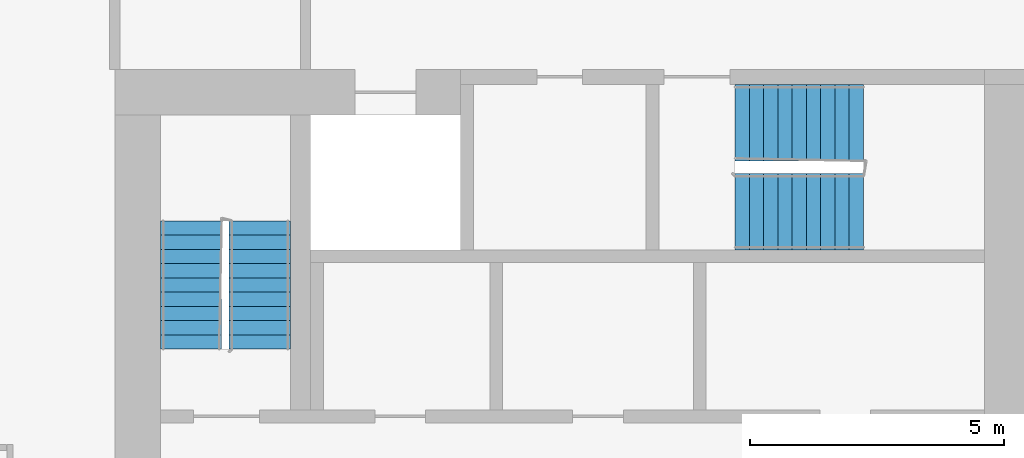
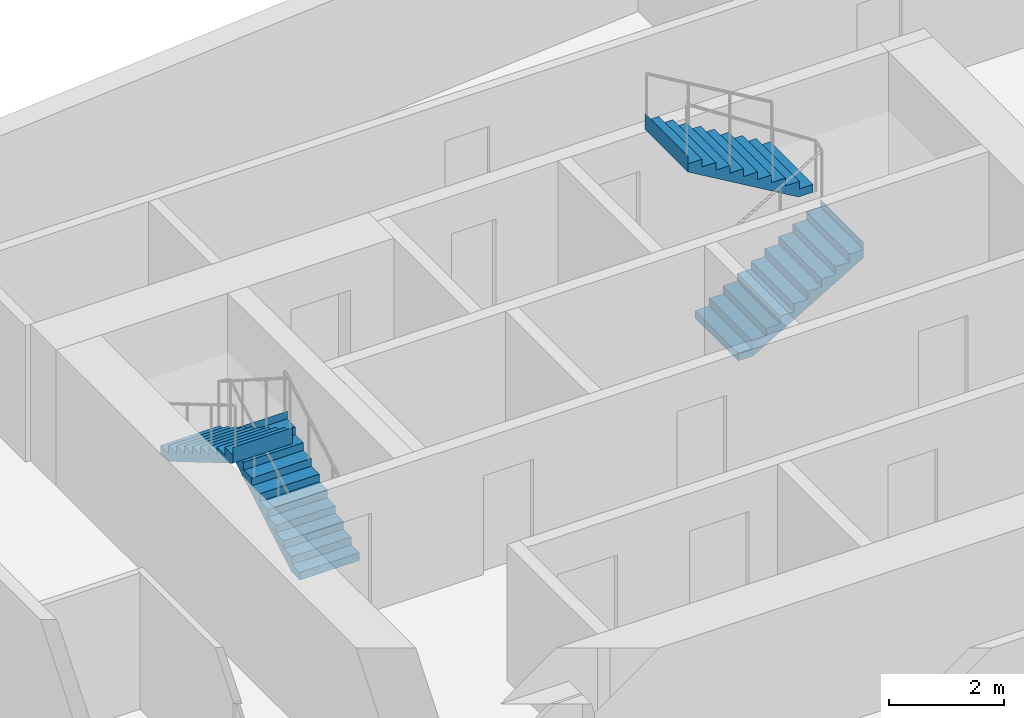
# One storey, part 10 of 11: 4 stair flights, 2 elements without a shape of their own.
"""IFC4 building model written with IfcOpenShell, lengths in metres."""

from ifc_helpers import new_model, si_unit, direction, frame, origin, place, context, subcontext, project, spatial, faceted_brep, material, type_object, element, aggregate, save


model = new_model("IFC4")

# Units and contexts
model_context = context("Model", 3, precision=1e-05, world=origin(), true_north=direction((0.0, 1.0)))
body_context = subcontext(model_context, "Body", "Model", "MODEL_VIEW")
ifc_project = project(units=[si_unit("LENGTHUNIT", "METRE"), si_unit("AREAUNIT", "SQUARE_METRE"), si_unit("VOLUMEUNIT", "CUBIC_METRE"), si_unit("PLANEANGLEUNIT", "RADIAN"), si_unit("MASSUNIT", "GRAM", prefix="KILO")], contexts=[model_context])

# Site, building, storey
site_placement = place(None, origin())
site = spatial("IfcSite", under=ifc_project, at=site_placement, CompositionType="ELEMENT")
building_placement = place(site_placement, origin())
building = spatial("IfcBuilding", under=site, at=building_placement, Name="Kajstack Hotel Tower", CompositionType="ELEMENT")
storey_placement = place(building_placement, frame((0.0, 0.0, 304.800048828125)))
storey = spatial("IfcBuildingStorey", under=building, at=storey_placement, Name="L77", CompositionType="ELEMENT", Elevation=304.800048828125)

# Stair, stair flights
ifc_material = material(Name="Concrete C40/50", Category="concrete")
stair_type_1 = type_object("IfcStairType", Name="Exit stair 1200", PredefinedType="HALF_TURN_STAIR", material=ifc_material)
stair_1_placement = place(storey_placement, origin())
stair_1 = element("IfcStair", 1, at=stair_1_placement, inside=storey, type_object=stair_type_1, Name="L77 stair E2", PredefinedType="HALF_TURN_STAIR")
stair_flight_type_1 = type_object("IfcStairFlightType", Name="Exit stair flight 1200", PredefinedType="STRAIGHT", material=ifc_material)
stair_flight_1_placement = place(storey_placement, frame((16.35009765625, 10.0, 0.0), z_axis=(0.0, 0.0, 1.0), x_axis=(0.0, 1.0, 0.0)))
stair_flight_1 = element("IfcStairFlight", 2, at=stair_flight_1_placement, type_object=stair_flight_type_1, Name="E2 flight 1", NumberOfRisers=10, NumberOfTreads=9, PredefinedType="STRAIGHT", RiserHeight=0.165, TreadLength=0.28, context=body_context, shape_type="Brep", body=[
    faceted_brep([(0.295654296875, -0.60009765625, 0.0), (2.5205078125, -0.60009765625, 1.31103515625), (2.5205078125, -0.60009765625, 1.64990234375), (2.52001953125, -0.60009765625, 1.64990234375), (2.52001953125, -0.60009765625, 1.485107421875), (2.239990234375, -0.60009765625, 1.485107421875), (2.239990234375, -0.60009765625, 1.320068359375), (1.9599609375, -0.60009765625, 1.320068359375), (1.9599609375, -0.60009765625, 1.155029296875), (1.679931640625, -0.60009765625, 1.155029296875), (1.679931640625, -0.60009765625, 0.989990234375), (1.39990234375, -0.60009765625, 0.989990234375), (1.39990234375, -0.60009765625, 0.824951171875), (1.1201171875, -0.60009765625, 0.824951171875), (1.1201171875, -0.60009765625, 0.659912109375), (0.840087890625, -0.60009765625, 0.659912109375), (0.840087890625, -0.60009765625, 0.4951171875), (0.56005859375, -0.60009765625, 0.4951171875), (0.56005859375, -0.60009765625, 0.330078125), (0.280029296875, -0.60009765625, 0.330078125), (0.280029296875, -0.60009765625, 0.1650390625), (-0.00048828125, -0.60009765625, 0.1650390625), (-0.00048828125, -0.60009765625, 0.0), (-0.00048828125, 0.60009765625, 0.0), (-0.00048828125, 0.60009765625, 0.1650390625), (0.280029296875, 0.60009765625, 0.1650390625), (0.280029296875, 0.60009765625, 0.330078125), (0.56005859375, 0.60009765625, 0.330078125), (0.56005859375, 0.60009765625, 0.4951171875), (0.840087890625, 0.60009765625, 0.4951171875), (0.840087890625, 0.60009765625, 0.659912109375), (1.1201171875, 0.60009765625, 0.659912109375), (1.1201171875, 0.60009765625, 0.824951171875), (1.39990234375, 0.60009765625, 0.824951171875), (1.39990234375, 0.60009765625, 0.989990234375), (1.679931640625, 0.60009765625, 0.989990234375), (1.679931640625, 0.60009765625, 1.155029296875), (1.9599609375, 0.60009765625, 1.155029296875), (1.9599609375, 0.60009765625, 1.320068359375), (2.239990234375, 0.60009765625, 1.320068359375), (2.239990234375, 0.60009765625, 1.485107421875), (2.52001953125, 0.60009765625, 1.485107421875), (2.52001953125, 0.60009765625, 1.64990234375), (2.5205078125, 0.60009765625, 1.64990234375), (2.5205078125, 0.60009765625, 1.31103515625), (0.295654296875, 0.60009765625, 0.0), (-0.00048828125, -0.300048828125, 0.1650390625), (-0.00048828125, 0.0, 0.1650390625), (-0.00048828125, 0.300048828125, 0.1650390625), (-0.00048828125, 0.300048828125, 0.0), (-0.00048828125, 0.0, 0.0), (-0.00048828125, -0.300048828125, 0.0), (0.280029296875, -0.300048828125, 0.1650390625), (0.280029296875, 0.0, 0.1650390625), (0.280029296875, 0.300048828125, 0.1650390625), (0.280029296875, -0.300048828125, 0.330078125), (0.280029296875, 0.0, 0.330078125), (0.280029296875, 0.300048828125, 0.330078125), (0.56005859375, -0.300048828125, 0.330078125), (0.56005859375, 0.0, 0.330078125), (0.56005859375, 0.300048828125, 0.330078125), (0.56005859375, -0.300048828125, 0.4951171875), (0.56005859375, 0.0, 0.4951171875), (0.56005859375, 0.300048828125, 0.4951171875), (0.840087890625, -0.300048828125, 0.4951171875), (0.840087890625, 0.0, 0.4951171875), (0.840087890625, 0.300048828125, 0.4951171875), (0.840087890625, -0.300048828125, 0.659912109375), (0.840087890625, 0.0, 0.659912109375), (0.840087890625, 0.300048828125, 0.659912109375), (1.1201171875, -0.300048828125, 0.659912109375), (1.1201171875, 0.0, 0.659912109375), (1.1201171875, 0.300048828125, 0.659912109375), (1.1201171875, -0.300048828125, 0.824951171875), (1.1201171875, 0.0, 0.824951171875), (1.1201171875, 0.300048828125, 0.824951171875), (1.39990234375, -0.300048828125, 0.824951171875), (1.39990234375, 0.0, 0.824951171875), (1.39990234375, 0.300048828125, 0.824951171875), (1.39990234375, -0.300048828125, 0.989990234375), (1.39990234375, 0.0, 0.989990234375), (1.39990234375, 0.300048828125, 0.989990234375), (1.679931640625, -0.300048828125, 0.989990234375), (1.679931640625, 0.0, 0.989990234375), (1.679931640625, 0.300048828125, 0.989990234375), (1.679931640625, -0.300048828125, 1.155029296875), (1.679931640625, 0.0, 1.155029296875), (1.679931640625, 0.300048828125, 1.155029296875), (1.9599609375, -0.300048828125, 1.155029296875), (1.9599609375, 0.0, 1.155029296875), (1.9599609375, 0.300048828125, 1.155029296875), (1.9599609375, -0.300048828125, 1.320068359375), (1.9599609375, 0.0, 1.320068359375), (1.9599609375, 0.300048828125, 1.320068359375), (2.239990234375, -0.300048828125, 1.320068359375), (2.239990234375, 0.0, 1.320068359375), (2.239990234375, 0.300048828125, 1.320068359375), (2.239990234375, -0.300048828125, 1.485107421875), (2.239990234375, 0.0, 1.485107421875), (2.239990234375, 0.300048828125, 1.485107421875), (2.52001953125, -0.300048828125, 1.485107421875), (2.52001953125, 0.0, 1.485107421875), (2.52001953125, 0.300048828125, 1.485107421875), (2.52001953125, -0.300048828125, 1.64990234375), (2.52001953125, 0.0, 1.64990234375), (2.52001953125, 0.300048828125, 1.64990234375), (2.5205078125, -0.300048828125, 1.64990234375), (2.5205078125, 0.0, 1.64990234375), (2.5205078125, 0.300048828125, 1.64990234375), (2.5205078125, -0.300048828125, 1.31103515625), (2.5205078125, 0.0, 1.31103515625), (2.5205078125, 0.300048828125, 1.31103515625), (0.295654296875, -0.300048828125, 0.0), (0.295654296875, 0.0, 0.0), (0.295654296875, 0.300048828125, 0.0)], [[[0, 1, 2, 3, 4, 5, 6, 7, 8, 9, 10, 11, 12, 13, 14, 15, 16, 17, 18, 19, 20, 21, 22]], [[23, 24, 25, 26, 27, 28, 29, 30, 31, 32, 33, 34, 35, 36, 37, 38, 39, 40, 41, 42, 43, 44, 45]], [[21, 46, 47, 48, 24, 23, 49, 50, 51, 22]], [[20, 52, 53, 54, 25, 24, 48, 47, 46, 21]], [[19, 55, 56, 57, 26, 25, 54, 53, 52, 20]], [[18, 58, 59, 60, 27, 26, 57, 56, 55, 19]], [[17, 61, 62, 63, 28, 27, 60, 59, 58, 18]], [[16, 64, 65, 66, 29, 28, 63, 62, 61, 17]], [[15, 67, 68, 69, 30, 29, 66, 65, 64, 16]], [[14, 70, 71, 72, 31, 30, 69, 68, 67, 15]], [[13, 73, 74, 75, 32, 31, 72, 71, 70, 14]], [[12, 76, 77, 78, 33, 32, 75, 74, 73, 13]], [[11, 79, 80, 81, 34, 33, 78, 77, 76, 12]], [[10, 82, 83, 84, 35, 34, 81, 80, 79, 11]], [[9, 85, 86, 87, 36, 35, 84, 83, 82, 10]], [[8, 88, 89, 90, 37, 36, 87, 86, 85, 9]], [[7, 91, 92, 93, 38, 37, 90, 89, 88, 8]], [[6, 94, 95, 96, 39, 38, 93, 92, 91, 7]], [[5, 97, 98, 99, 40, 39, 96, 95, 94, 6]], [[4, 100, 101, 102, 41, 40, 99, 98, 97, 5]], [[3, 103, 104, 105, 42, 41, 102, 101, 100, 4]], [[2, 106, 107, 108, 43, 42, 105, 104, 103, 3]], [[1, 109, 110, 111, 44, 43, 108, 107, 106, 2]], [[0, 112, 113, 114, 45, 44, 111, 110, 109, 1]], [[22, 51, 50, 49, 23, 45, 114, 113, 112, 0]]]),
])
stair_flight_2_placement = place(storey_placement, frame((15.0, 12.52001953125, 1.64990234375), z_axis=(0.0, 0.0, 1.0), x_axis=(0.0, -1.0, 0.0)))
stair_flight_2 = element("IfcStairFlight", 3, at=stair_flight_2_placement, type_object=stair_flight_type_1, Name="E2 flight 2", NumberOfRisers=10, NumberOfTreads=9, PredefinedType="STRAIGHT", RiserHeight=0.165, TreadLength=0.28, context=body_context, shape_type="Brep", body=[
    faceted_brep([(0.295654296875, -0.60009765625, 0.0), (2.5205078125, -0.60009765625, 1.31103515625), (2.5205078125, -0.60009765625, 1.64990234375), (2.52001953125, -0.60009765625, 1.64990234375), (2.52001953125, -0.60009765625, 1.485107421875), (2.239990234375, -0.60009765625, 1.485107421875), (2.239990234375, -0.60009765625, 1.320068359375), (1.9599609375, -0.60009765625, 1.320068359375), (1.9599609375, -0.60009765625, 1.155029296875), (1.679931640625, -0.60009765625, 1.155029296875), (1.679931640625, -0.60009765625, 0.989990234375), (1.39990234375, -0.60009765625, 0.989990234375), (1.39990234375, -0.60009765625, 0.824951171875), (1.1201171875, -0.60009765625, 0.824951171875), (1.1201171875, -0.60009765625, 0.659912109375), (0.840087890625, -0.60009765625, 0.659912109375), (0.840087890625, -0.60009765625, 0.4951171875), (0.56005859375, -0.60009765625, 0.4951171875), (0.56005859375, -0.60009765625, 0.330078125), (0.280029296875, -0.60009765625, 0.330078125), (0.280029296875, -0.60009765625, 0.1650390625), (-0.00048828125, -0.60009765625, 0.1650390625), (-0.00048828125, -0.60009765625, 0.0), (-0.00048828125, 0.60009765625, 0.0), (-0.00048828125, 0.60009765625, 0.1650390625), (0.280029296875, 0.60009765625, 0.1650390625), (0.280029296875, 0.60009765625, 0.330078125), (0.56005859375, 0.60009765625, 0.330078125), (0.56005859375, 0.60009765625, 0.4951171875), (0.840087890625, 0.60009765625, 0.4951171875), (0.840087890625, 0.60009765625, 0.659912109375), (1.1201171875, 0.60009765625, 0.659912109375), (1.1201171875, 0.60009765625, 0.824951171875), (1.39990234375, 0.60009765625, 0.824951171875), (1.39990234375, 0.60009765625, 0.989990234375), (1.679931640625, 0.60009765625, 0.989990234375), (1.679931640625, 0.60009765625, 1.155029296875), (1.9599609375, 0.60009765625, 1.155029296875), (1.9599609375, 0.60009765625, 1.320068359375), (2.239990234375, 0.60009765625, 1.320068359375), (2.239990234375, 0.60009765625, 1.485107421875), (2.52001953125, 0.60009765625, 1.485107421875), (2.52001953125, 0.60009765625, 1.64990234375), (2.5205078125, 0.60009765625, 1.64990234375), (2.5205078125, 0.60009765625, 1.31103515625), (0.295654296875, 0.60009765625, 0.0), (-0.00048828125, -0.300048828125, 0.1650390625), (-0.00048828125, 0.0, 0.1650390625), (-0.00048828125, 0.300048828125, 0.1650390625), (-0.00048828125, 0.300048828125, 0.0), (-0.00048828125, 0.0, 0.0), (-0.00048828125, -0.300048828125, 0.0), (0.280029296875, -0.300048828125, 0.1650390625), (0.280029296875, 0.0, 0.1650390625), (0.280029296875, 0.300048828125, 0.1650390625), (0.280029296875, -0.300048828125, 0.330078125), (0.280029296875, 0.0, 0.330078125), (0.280029296875, 0.300048828125, 0.330078125), (0.56005859375, -0.300048828125, 0.330078125), (0.56005859375, 0.0, 0.330078125), (0.56005859375, 0.300048828125, 0.330078125), (0.56005859375, -0.300048828125, 0.4951171875), (0.56005859375, 0.0, 0.4951171875), (0.56005859375, 0.300048828125, 0.4951171875), (0.840087890625, -0.300048828125, 0.4951171875), (0.840087890625, 0.0, 0.4951171875), (0.840087890625, 0.300048828125, 0.4951171875), (0.840087890625, -0.300048828125, 0.659912109375), (0.840087890625, 0.0, 0.659912109375), (0.840087890625, 0.300048828125, 0.659912109375), (1.1201171875, -0.300048828125, 0.659912109375), (1.1201171875, 0.0, 0.659912109375), (1.1201171875, 0.300048828125, 0.659912109375), (1.1201171875, -0.300048828125, 0.824951171875), (1.1201171875, 0.0, 0.824951171875), (1.1201171875, 0.300048828125, 0.824951171875), (1.39990234375, -0.300048828125, 0.824951171875), (1.39990234375, 0.0, 0.824951171875), (1.39990234375, 0.300048828125, 0.824951171875), (1.39990234375, -0.300048828125, 0.989990234375), (1.39990234375, 0.0, 0.989990234375), (1.39990234375, 0.300048828125, 0.989990234375), (1.679931640625, -0.300048828125, 0.989990234375), (1.679931640625, 0.0, 0.989990234375), (1.679931640625, 0.300048828125, 0.989990234375), (1.679931640625, -0.300048828125, 1.155029296875), (1.679931640625, 0.0, 1.155029296875), (1.679931640625, 0.300048828125, 1.155029296875), (1.9599609375, -0.300048828125, 1.155029296875), (1.9599609375, 0.0, 1.155029296875), (1.9599609375, 0.300048828125, 1.155029296875), (1.9599609375, -0.300048828125, 1.320068359375), (1.9599609375, 0.0, 1.320068359375), (1.9599609375, 0.300048828125, 1.320068359375), (2.239990234375, -0.300048828125, 1.320068359375), (2.239990234375, 0.0, 1.320068359375), (2.239990234375, 0.300048828125, 1.320068359375), (2.239990234375, -0.300048828125, 1.485107421875), (2.239990234375, 0.0, 1.485107421875), (2.239990234375, 0.300048828125, 1.485107421875), (2.52001953125, -0.300048828125, 1.485107421875), (2.52001953125, 0.0, 1.485107421875), (2.52001953125, 0.300048828125, 1.485107421875), (2.52001953125, -0.300048828125, 1.64990234375), (2.52001953125, 0.0, 1.64990234375), (2.52001953125, 0.300048828125, 1.64990234375), (2.5205078125, -0.300048828125, 1.64990234375), (2.5205078125, 0.0, 1.64990234375), (2.5205078125, 0.300048828125, 1.64990234375), (2.5205078125, -0.300048828125, 1.31103515625), (2.5205078125, 0.0, 1.31103515625), (2.5205078125, 0.300048828125, 1.31103515625), (0.295654296875, -0.300048828125, 0.0), (0.295654296875, 0.0, 0.0), (0.295654296875, 0.300048828125, 0.0)], [[[0, 1, 2, 3, 4, 5, 6, 7, 8, 9, 10, 11, 12, 13, 14, 15, 16, 17, 18, 19, 20, 21, 22]], [[23, 24, 25, 26, 27, 28, 29, 30, 31, 32, 33, 34, 35, 36, 37, 38, 39, 40, 41, 42, 43, 44, 45]], [[21, 46, 47, 48, 24, 23, 49, 50, 51, 22]], [[20, 52, 53, 54, 25, 24, 48, 47, 46, 21]], [[19, 55, 56, 57, 26, 25, 54, 53, 52, 20]], [[18, 58, 59, 60, 27, 26, 57, 56, 55, 19]], [[17, 61, 62, 63, 28, 27, 60, 59, 58, 18]], [[16, 64, 65, 66, 29, 28, 63, 62, 61, 17]], [[15, 67, 68, 69, 30, 29, 66, 65, 64, 16]], [[14, 70, 71, 72, 31, 30, 69, 68, 67, 15]], [[13, 73, 74, 75, 32, 31, 72, 71, 70, 14]], [[12, 76, 77, 78, 33, 32, 75, 74, 73, 13]], [[11, 79, 80, 81, 34, 33, 78, 77, 76, 12]], [[10, 82, 83, 84, 35, 34, 81, 80, 79, 11]], [[9, 85, 86, 87, 36, 35, 84, 83, 82, 10]], [[8, 88, 89, 90, 37, 36, 87, 86, 85, 9]], [[7, 91, 92, 93, 38, 37, 90, 89, 88, 8]], [[6, 94, 95, 96, 39, 38, 93, 92, 91, 7]], [[5, 97, 98, 99, 40, 39, 96, 95, 94, 6]], [[4, 100, 101, 102, 41, 40, 99, 98, 97, 5]], [[3, 103, 104, 105, 42, 41, 102, 101, 100, 4]], [[2, 106, 107, 108, 43, 42, 105, 104, 103, 3]], [[1, 109, 110, 111, 44, 43, 108, 107, 106, 2]], [[0, 112, 113, 114, 45, 44, 111, 110, 109, 1]], [[22, 51, 50, 49, 23, 45, 114, 113, 112, 0]]]),
])
aggregate(stair_1, [stair_flight_1, stair_flight_2])

stair_type_2 = type_object("IfcStairType", Name="Exit stair 1500", PredefinedType="HALF_TURN_STAIR", material=ifc_material)
stair_2_placement = place(storey_placement, origin())
stair_2 = element("IfcStair", 4, at=stair_2_placement, inside=storey, type_object=stair_type_2, Name="L77 stair E3", PredefinedType="HALF_TURN_STAIR")
stair_flight_type_2 = type_object("IfcStairFlightType", Name="Exit stair flight 1500", PredefinedType="STRAIGHT", material=ifc_material)
stair_flight_3_placement = place(storey_placement, frame((25.699951171875, 12.699951171875, 0.0), z_axis=(0.0, 0.0, 1.0), x_axis=(1.0, 0.0, 0.0)))
stair_flight_3 = element("IfcStairFlight", 5, at=stair_flight_3_placement, type_object=stair_flight_type_2, Name="E3 flight 1", NumberOfRisers=10, NumberOfTreads=9, PredefinedType="STRAIGHT", RiserHeight=0.165, TreadLength=0.28, context=body_context, shape_type="Brep", body=[
    faceted_brep([(0.295654296875, -0.75, 0.0), (2.5205078125, -0.75, 1.31103515625), (2.5205078125, -0.75, 1.64990234375), (2.52001953125, -0.75, 1.64990234375), (2.52001953125, -0.75, 1.485107421875), (2.239990234375, -0.75, 1.485107421875), (2.239990234375, -0.75, 1.320068359375), (1.9599609375, -0.75, 1.320068359375), (1.9599609375, -0.75, 1.155029296875), (1.679931640625, -0.75, 1.155029296875), (1.679931640625, -0.75, 0.989990234375), (1.39990234375, -0.75, 0.989990234375), (1.39990234375, -0.75, 0.824951171875), (1.1201171875, -0.75, 0.824951171875), (1.1201171875, -0.75, 0.659912109375), (0.840087890625, -0.75, 0.659912109375), (0.840087890625, -0.75, 0.4951171875), (0.56005859375, -0.75, 0.4951171875), (0.56005859375, -0.75, 0.330078125), (0.280029296875, -0.75, 0.330078125), (0.280029296875, -0.75, 0.1650390625), (-0.00048828125, -0.75, 0.1650390625), (-0.00048828125, -0.75, 0.0), (-0.00048828125, 0.75, 0.0), (-0.00048828125, 0.75, 0.1650390625), (0.280029296875, 0.75, 0.1650390625), (0.280029296875, 0.75, 0.330078125), (0.56005859375, 0.75, 0.330078125), (0.56005859375, 0.75, 0.4951171875), (0.840087890625, 0.75, 0.4951171875), (0.840087890625, 0.75, 0.659912109375), (1.1201171875, 0.75, 0.659912109375), (1.1201171875, 0.75, 0.824951171875), (1.39990234375, 0.75, 0.824951171875), (1.39990234375, 0.75, 0.989990234375), (1.679931640625, 0.75, 0.989990234375), (1.679931640625, 0.75, 1.155029296875), (1.9599609375, 0.75, 1.155029296875), (1.9599609375, 0.75, 1.320068359375), (2.239990234375, 0.75, 1.320068359375), (2.239990234375, 0.75, 1.485107421875), (2.52001953125, 0.75, 1.485107421875), (2.52001953125, 0.75, 1.64990234375), (2.5205078125, 0.75, 1.64990234375), (2.5205078125, 0.75, 1.31103515625), (0.295654296875, 0.75, 0.0), (-0.00048828125, -0.375, 0.1650390625), (-0.00048828125, 0.0, 0.1650390625), (-0.00048828125, 0.375, 0.1650390625), (-0.00048828125, 0.375, 0.0), (-0.00048828125, 0.0, 0.0), (-0.00048828125, -0.375, 0.0), (0.280029296875, -0.375, 0.1650390625), (0.280029296875, 0.0, 0.1650390625), (0.280029296875, 0.375, 0.1650390625), (0.280029296875, -0.375, 0.330078125), (0.280029296875, 0.0, 0.330078125), (0.280029296875, 0.375, 0.330078125), (0.56005859375, -0.375, 0.330078125), (0.56005859375, 0.0, 0.330078125), (0.56005859375, 0.375, 0.330078125), (0.56005859375, -0.375, 0.4951171875), (0.56005859375, 0.0, 0.4951171875), (0.56005859375, 0.375, 0.4951171875), (0.840087890625, -0.375, 0.4951171875), (0.840087890625, 0.0, 0.4951171875), (0.840087890625, 0.375, 0.4951171875), (0.840087890625, -0.375, 0.659912109375), (0.840087890625, 0.0, 0.659912109375), (0.840087890625, 0.375, 0.659912109375), (1.1201171875, -0.375, 0.659912109375), (1.1201171875, 0.0, 0.659912109375), (1.1201171875, 0.375, 0.659912109375), (1.1201171875, -0.375, 0.824951171875), (1.1201171875, 0.0, 0.824951171875), (1.1201171875, 0.375, 0.824951171875), (1.39990234375, -0.375, 0.824951171875), (1.39990234375, 0.0, 0.824951171875), (1.39990234375, 0.375, 0.824951171875), (1.39990234375, -0.375, 0.989990234375), (1.39990234375, 0.0, 0.989990234375), (1.39990234375, 0.375, 0.989990234375), (1.679931640625, -0.375, 0.989990234375), (1.679931640625, 0.0, 0.989990234375), (1.679931640625, 0.375, 0.989990234375), (1.679931640625, -0.375, 1.155029296875), (1.679931640625, 0.0, 1.155029296875), (1.679931640625, 0.375, 1.155029296875), (1.9599609375, -0.375, 1.155029296875), (1.9599609375, 0.0, 1.155029296875), (1.9599609375, 0.375, 1.155029296875), (1.9599609375, -0.375, 1.320068359375), (1.9599609375, 0.0, 1.320068359375), (1.9599609375, 0.375, 1.320068359375), (2.239990234375, -0.375, 1.320068359375), (2.239990234375, 0.0, 1.320068359375), (2.239990234375, 0.375, 1.320068359375), (2.239990234375, -0.375, 1.485107421875), (2.239990234375, 0.0, 1.485107421875), (2.239990234375, 0.375, 1.485107421875), (2.52001953125, -0.375, 1.485107421875), (2.52001953125, 0.0, 1.485107421875), (2.52001953125, 0.375, 1.485107421875), (2.52001953125, -0.375, 1.64990234375), (2.52001953125, 0.0, 1.64990234375), (2.52001953125, 0.375, 1.64990234375), (2.5205078125, -0.375, 1.64990234375), (2.5205078125, 0.0, 1.64990234375), (2.5205078125, 0.375, 1.64990234375), (2.5205078125, -0.375, 1.31103515625), (2.5205078125, 0.0, 1.31103515625), (2.5205078125, 0.375, 1.31103515625), (0.295654296875, -0.375, 0.0), (0.295654296875, 0.0, 0.0), (0.295654296875, 0.375, 0.0)], [[[0, 1, 2, 3, 4, 5, 6, 7, 8, 9, 10, 11, 12, 13, 14, 15, 16, 17, 18, 19, 20, 21, 22]], [[23, 24, 25, 26, 27, 28, 29, 30, 31, 32, 33, 34, 35, 36, 37, 38, 39, 40, 41, 42, 43, 44, 45]], [[21, 46, 47, 48, 24, 23, 49, 50, 51, 22]], [[20, 52, 53, 54, 25, 24, 48, 47, 46, 21]], [[19, 55, 56, 57, 26, 25, 54, 53, 52, 20]], [[18, 58, 59, 60, 27, 26, 57, 56, 55, 19]], [[17, 61, 62, 63, 28, 27, 60, 59, 58, 18]], [[16, 64, 65, 66, 29, 28, 63, 62, 61, 17]], [[15, 67, 68, 69, 30, 29, 66, 65, 64, 16]], [[14, 70, 71, 72, 31, 30, 69, 68, 67, 15]], [[13, 73, 74, 75, 32, 31, 72, 71, 70, 14]], [[12, 76, 77, 78, 33, 32, 75, 74, 73, 13]], [[11, 79, 80, 81, 34, 33, 78, 77, 76, 12]], [[10, 82, 83, 84, 35, 34, 81, 80, 79, 11]], [[9, 85, 86, 87, 36, 35, 84, 83, 82, 10]], [[8, 88, 89, 90, 37, 36, 87, 86, 85, 9]], [[7, 91, 92, 93, 38, 37, 90, 89, 88, 8]], [[6, 94, 95, 96, 39, 38, 93, 92, 91, 7]], [[5, 97, 98, 99, 40, 39, 96, 95, 94, 6]], [[4, 100, 101, 102, 41, 40, 99, 98, 97, 5]], [[3, 103, 104, 105, 42, 41, 102, 101, 100, 4]], [[2, 106, 107, 108, 43, 42, 105, 104, 103, 3]], [[1, 109, 110, 111, 44, 43, 108, 107, 106, 2]], [[0, 112, 113, 114, 45, 44, 111, 110, 109, 1]], [[22, 51, 50, 49, 23, 45, 114, 113, 112, 0]]]),
])
stair_flight_4_placement = place(storey_placement, frame((28.219970703125, 14.449951171875, 1.64990234375), z_axis=(0.0, 0.0, 1.0), x_axis=(-1.0, 0.0, 0.0)))
stair_flight_4 = element("IfcStairFlight", 6, at=stair_flight_4_placement, type_object=stair_flight_type_2, Name="E3 flight 2", NumberOfRisers=10, NumberOfTreads=9, PredefinedType="STRAIGHT", RiserHeight=0.165, TreadLength=0.28, context=body_context, shape_type="Brep", body=[
    faceted_brep([(0.295654296875, -0.75, 0.0), (2.5205078125, -0.75, 1.31103515625), (2.5205078125, -0.75, 1.64990234375), (2.52001953125, -0.75, 1.64990234375), (2.52001953125, -0.75, 1.485107421875), (2.239990234375, -0.75, 1.485107421875), (2.239990234375, -0.75, 1.320068359375), (1.9599609375, -0.75, 1.320068359375), (1.9599609375, -0.75, 1.155029296875), (1.679931640625, -0.75, 1.155029296875), (1.679931640625, -0.75, 0.989990234375), (1.39990234375, -0.75, 0.989990234375), (1.39990234375, -0.75, 0.824951171875), (1.1201171875, -0.75, 0.824951171875), (1.1201171875, -0.75, 0.659912109375), (0.840087890625, -0.75, 0.659912109375), (0.840087890625, -0.75, 0.4951171875), (0.56005859375, -0.75, 0.4951171875), (0.56005859375, -0.75, 0.330078125), (0.280029296875, -0.75, 0.330078125), (0.280029296875, -0.75, 0.1650390625), (-0.00048828125, -0.75, 0.1650390625), (-0.00048828125, -0.75, 0.0), (-0.00048828125, 0.75, 0.0), (-0.00048828125, 0.75, 0.1650390625), (0.280029296875, 0.75, 0.1650390625), (0.280029296875, 0.75, 0.330078125), (0.56005859375, 0.75, 0.330078125), (0.56005859375, 0.75, 0.4951171875), (0.840087890625, 0.75, 0.4951171875), (0.840087890625, 0.75, 0.659912109375), (1.1201171875, 0.75, 0.659912109375), (1.1201171875, 0.75, 0.824951171875), (1.39990234375, 0.75, 0.824951171875), (1.39990234375, 0.75, 0.989990234375), (1.679931640625, 0.75, 0.989990234375), (1.679931640625, 0.75, 1.155029296875), (1.9599609375, 0.75, 1.155029296875), (1.9599609375, 0.75, 1.320068359375), (2.239990234375, 0.75, 1.320068359375), (2.239990234375, 0.75, 1.485107421875), (2.52001953125, 0.75, 1.485107421875), (2.52001953125, 0.75, 1.64990234375), (2.5205078125, 0.75, 1.64990234375), (2.5205078125, 0.75, 1.31103515625), (0.295654296875, 0.75, 0.0), (-0.00048828125, -0.375, 0.1650390625), (-0.00048828125, 0.0, 0.1650390625), (-0.00048828125, 0.375, 0.1650390625), (-0.00048828125, 0.375, 0.0), (-0.00048828125, 0.0, 0.0), (-0.00048828125, -0.375, 0.0), (0.280029296875, -0.375, 0.1650390625), (0.280029296875, 0.0, 0.1650390625), (0.280029296875, 0.375, 0.1650390625), (0.280029296875, -0.375, 0.330078125), (0.280029296875, 0.0, 0.330078125), (0.280029296875, 0.375, 0.330078125), (0.56005859375, -0.375, 0.330078125), (0.56005859375, 0.0, 0.330078125), (0.56005859375, 0.375, 0.330078125), (0.56005859375, -0.375, 0.4951171875), (0.56005859375, 0.0, 0.4951171875), (0.56005859375, 0.375, 0.4951171875), (0.840087890625, -0.375, 0.4951171875), (0.840087890625, 0.0, 0.4951171875), (0.840087890625, 0.375, 0.4951171875), (0.840087890625, -0.375, 0.659912109375), (0.840087890625, 0.0, 0.659912109375), (0.840087890625, 0.375, 0.659912109375), (1.1201171875, -0.375, 0.659912109375), (1.1201171875, 0.0, 0.659912109375), (1.1201171875, 0.375, 0.659912109375), (1.1201171875, -0.375, 0.824951171875), (1.1201171875, 0.0, 0.824951171875), (1.1201171875, 0.375, 0.824951171875), (1.39990234375, -0.375, 0.824951171875), (1.39990234375, 0.0, 0.824951171875), (1.39990234375, 0.375, 0.824951171875), (1.39990234375, -0.375, 0.989990234375), (1.39990234375, 0.0, 0.989990234375), (1.39990234375, 0.375, 0.989990234375), (1.679931640625, -0.375, 0.989990234375), (1.679931640625, 0.0, 0.989990234375), (1.679931640625, 0.375, 0.989990234375), (1.679931640625, -0.375, 1.155029296875), (1.679931640625, 0.0, 1.155029296875), (1.679931640625, 0.375, 1.155029296875), (1.9599609375, -0.375, 1.155029296875), (1.9599609375, 0.0, 1.155029296875), (1.9599609375, 0.375, 1.155029296875), (1.9599609375, -0.375, 1.320068359375), (1.9599609375, 0.0, 1.320068359375), (1.9599609375, 0.375, 1.320068359375), (2.239990234375, -0.375, 1.320068359375), (2.239990234375, 0.0, 1.320068359375), (2.239990234375, 0.375, 1.320068359375), (2.239990234375, -0.375, 1.485107421875), (2.239990234375, 0.0, 1.485107421875), (2.239990234375, 0.375, 1.485107421875), (2.52001953125, -0.375, 1.485107421875), (2.52001953125, 0.0, 1.485107421875), (2.52001953125, 0.375, 1.485107421875), (2.52001953125, -0.375, 1.64990234375), (2.52001953125, 0.0, 1.64990234375), (2.52001953125, 0.375, 1.64990234375), (2.5205078125, -0.375, 1.64990234375), (2.5205078125, 0.0, 1.64990234375), (2.5205078125, 0.375, 1.64990234375), (2.5205078125, -0.375, 1.31103515625), (2.5205078125, 0.0, 1.31103515625), (2.5205078125, 0.375, 1.31103515625), (0.295654296875, -0.375, 0.0), (0.295654296875, 0.0, 0.0), (0.295654296875, 0.375, 0.0)], [[[0, 1, 2, 3, 4, 5, 6, 7, 8, 9, 10, 11, 12, 13, 14, 15, 16, 17, 18, 19, 20, 21, 22]], [[23, 24, 25, 26, 27, 28, 29, 30, 31, 32, 33, 34, 35, 36, 37, 38, 39, 40, 41, 42, 43, 44, 45]], [[21, 46, 47, 48, 24, 23, 49, 50, 51, 22]], [[20, 52, 53, 54, 25, 24, 48, 47, 46, 21]], [[19, 55, 56, 57, 26, 25, 54, 53, 52, 20]], [[18, 58, 59, 60, 27, 26, 57, 56, 55, 19]], [[17, 61, 62, 63, 28, 27, 60, 59, 58, 18]], [[16, 64, 65, 66, 29, 28, 63, 62, 61, 17]], [[15, 67, 68, 69, 30, 29, 66, 65, 64, 16]], [[14, 70, 71, 72, 31, 30, 69, 68, 67, 15]], [[13, 73, 74, 75, 32, 31, 72, 71, 70, 14]], [[12, 76, 77, 78, 33, 32, 75, 74, 73, 13]], [[11, 79, 80, 81, 34, 33, 78, 77, 76, 12]], [[10, 82, 83, 84, 35, 34, 81, 80, 79, 11]], [[9, 85, 86, 87, 36, 35, 84, 83, 82, 10]], [[8, 88, 89, 90, 37, 36, 87, 86, 85, 9]], [[7, 91, 92, 93, 38, 37, 90, 89, 88, 8]], [[6, 94, 95, 96, 39, 38, 93, 92, 91, 7]], [[5, 97, 98, 99, 40, 39, 96, 95, 94, 6]], [[4, 100, 101, 102, 41, 40, 99, 98, 97, 5]], [[3, 103, 104, 105, 42, 41, 102, 101, 100, 4]], [[2, 106, 107, 108, 43, 42, 105, 104, 103, 3]], [[1, 109, 110, 111, 44, 43, 108, 107, 106, 2]], [[0, 112, 113, 114, 45, 44, 111, 110, 109, 1]], [[22, 51, 50, 49, 23, 45, 114, 113, 112, 0]]]),
])
aggregate(stair_2, [stair_flight_3, stair_flight_4])

save(model, "model.ifc")
